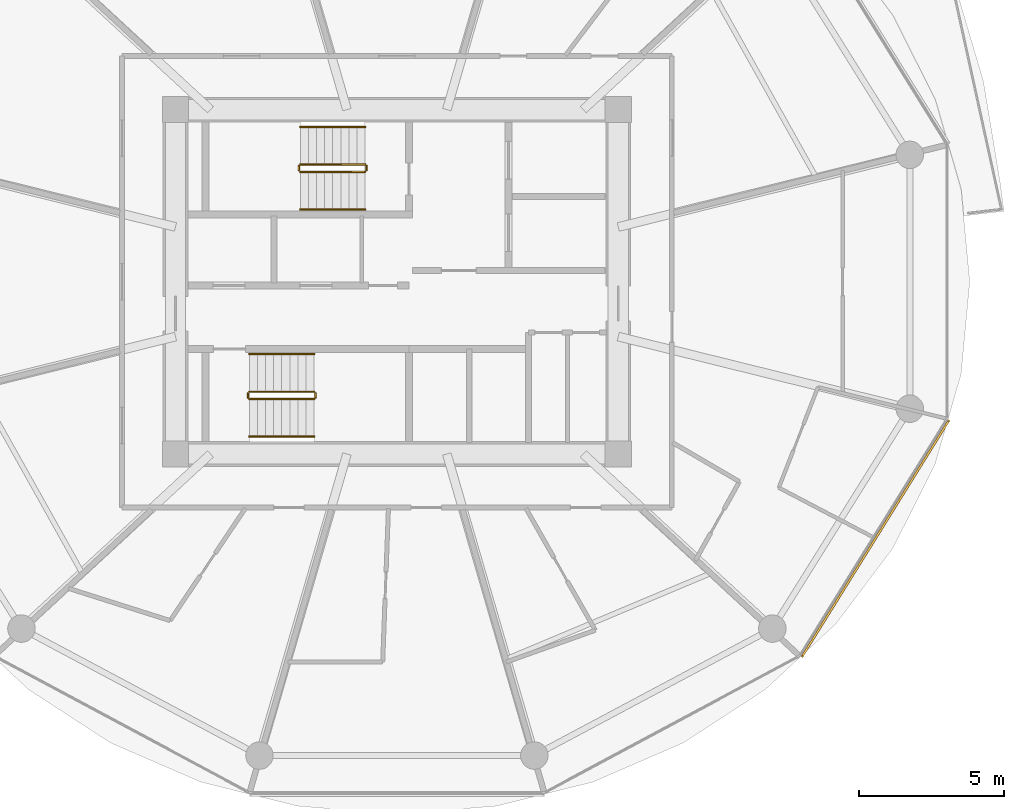
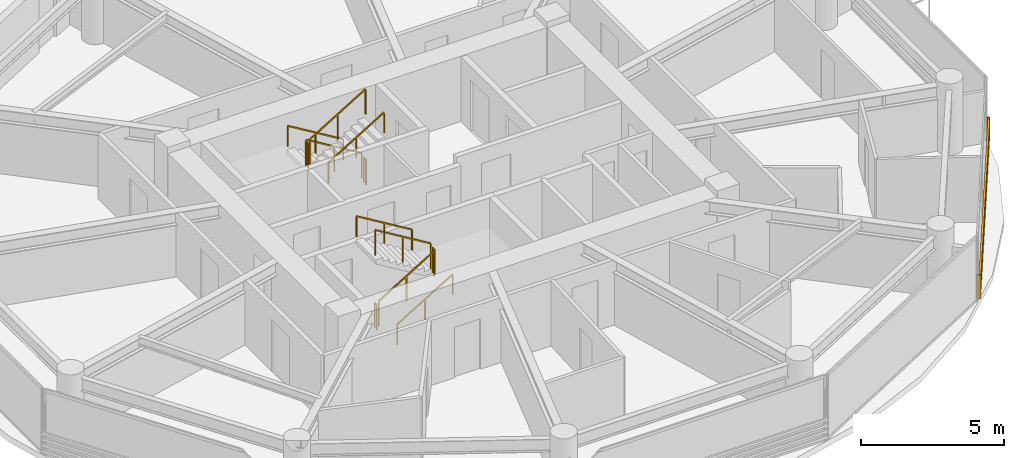
# One storey, part 25 of 26: 12 railings, 1 shading device.
"""IFC4 building model written with IfcOpenShell, lengths in metres."""

from ifc_helpers import new_model, si_unit, direction, frame, origin, origin_2d, place, context, subcontext, project, spatial, rectangle, extrude, source, transform, mapped, material, type_object, type_shapes, element, save


model = new_model("IFC4")

# Units and contexts
model_context = context("Model", 3, precision=1e-05, world=origin(), true_north=direction((0.0, 1.0)))
body_context = subcontext(model_context, "Body", "Model", "MODEL_VIEW")
ifc_project = project(units=[si_unit("LENGTHUNIT", "METRE"), si_unit("AREAUNIT", "SQUARE_METRE"), si_unit("VOLUMEUNIT", "CUBIC_METRE"), si_unit("PLANEANGLEUNIT", "RADIAN"), si_unit("MASSUNIT", "GRAM", prefix="KILO")], contexts=[model_context])

# Site, building, storey
site_placement = place(None, origin())
site = spatial("IfcSite", under=ifc_project, at=site_placement, CompositionType="ELEMENT")
building_placement = place(site_placement, origin())
building = spatial("IfcBuilding", under=site, at=building_placement, Name="Norrkilde Senior Care Towers", CompositionType="ELEMENT")
storey_placement = place(building_placement, frame((0.0, 0.0, 49.050048828125)))
storey = spatial("IfcBuildingStorey", under=building, at=storey_placement, Name="L14", CompositionType="ELEMENT", Elevation=49.050048828125)

# Railings
ifc_material_1 = material(Name="Stainless Steel", Category="steel")
railing_type_1 = type_object("IfcRailingType", Name="Stair and Terrace Guardrail 1100", PredefinedType="GUARDRAIL", material=ifc_material_1)
railing_1_placement = place(storey_placement, frame((26.89990234375, 4.050048828125, 0.16943359375)))
element("IfcRailing", 1, at=railing_1_placement, inside=storey, type_object=railing_type_1, Name="L14 ST-E1 stair guard 1", PredefinedType="GUARDRAIL", context=body_context, shape_type="SweptSolid", body=[
    extrude(rectangle(XDim=0.048095703125, YDim=0.048095703125, at=origin_2d()), frame((0.0, 0.0, 1.076171875), z_axis=(-0.855553338991, 0.0, 0.51771467445), x_axis=(0.0, -1.0, 0.0)), (0.0, 0.0, 1.0), 2.6181640625),
    extrude(rectangle(XDim=0.0419921875, YDim=0.0419921875, at=origin_2d()), origin(), (0.0, 0.0, 1.0), 1.050048828125),
    extrude(rectangle(XDim=0.0419921875, YDim=0.0419921875, at=origin_2d()), frame((-1.1201171875, 0.0, 0.677734375)), (0.0, 0.0, 1.0), 1.050048828125),
    extrude(rectangle(XDim=0.0419921875, YDim=0.0419921875, at=origin_2d()), frame((-2.239990234375, 0.0, 1.35546875)), (0.0, 0.0, 1.0), 1.050048828125),
])
railing_2_placement = place(storey_placement, frame((24.610107421875, 4.0, 1.52490234375)))
element("IfcRailing", 2, at=railing_2_placement, inside=storey, type_object=railing_type_1, Name="L14 ST-E1 stair guard 2", PredefinedType="GUARDRAIL", context=body_context, shape_type="SweptSolid", body=[
    extrude(rectangle(XDim=0.048095703125, YDim=0.048095703125, at=origin_2d()), frame((0.0, 0.0, 1.076171875), z_axis=(0.0, -1.0, 0.0), x_axis=(1.0, 0.0, 0.0)), (0.0, 0.0, 1.0), 0.14990234375),
    extrude(rectangle(XDim=0.0419921875, YDim=0.0419921875, at=origin_2d()), origin(), (0.0, 0.0, 1.0), 1.050048828125),
    extrude(rectangle(XDim=0.0419921875, YDim=0.0419921875, at=origin_2d()), frame((0.0, -0.14990234375, 0.0)), (0.0, 0.0, 1.0), 1.050048828125),
])
railing_3_placement = place(storey_placement, frame((24.659912109375, 3.800048828125, 1.6943359375)))
element("IfcRailing", 3, at=railing_3_placement, inside=storey, type_object=railing_type_1, Name="L14 ST-E1 stair guard 3", PredefinedType="GUARDRAIL", context=body_context, shape_type="SweptSolid", body=[
    extrude(rectangle(XDim=0.048095703125, YDim=0.048095703125, at=origin_2d()), frame((0.0, 0.0, 1.076171875), z_axis=(0.855512035549, 0.0, 0.517782924622), x_axis=(0.0, 1.0, 0.0)), (0.0, 0.0, 1.0), 2.618408203125),
    extrude(rectangle(XDim=0.0419921875, YDim=0.0419921875, at=origin_2d()), origin(), (0.0, 0.0, 1.0), 1.050048828125),
    extrude(rectangle(XDim=0.0419921875, YDim=0.0419921875, at=origin_2d()), frame((1.1201171875, 0.0, 0.677734375)), (0.0, 0.0, 1.0), 1.050048828125),
    extrude(rectangle(XDim=0.0419921875, YDim=0.0419921875, at=origin_2d()), frame((2.239990234375, 0.0, 1.355712890625)), (0.0, 0.0, 1.0), 1.050048828125),
])
railing_4_placement = place(storey_placement, frame((26.949951171875, 4.0, 0.0)))
element("IfcRailing", 4, at=railing_4_placement, inside=storey, type_object=railing_type_1, Name="L14 ST-E1 stair guard 4", PredefinedType="GUARDRAIL", context=body_context, shape_type="SweptSolid", body=[
    extrude(rectangle(XDim=0.048095703125, YDim=0.048095703125, at=origin_2d()), frame((0.0, 0.0, 1.076171875), z_axis=(0.0, -1.0, 0.0), x_axis=(1.0, 0.0, 0.0)), (0.0, 0.0, 1.0), 0.14990234375),
    extrude(rectangle(XDim=0.0419921875, YDim=0.0419921875, at=origin_2d()), origin(), (0.0, 0.0, 1.0), 1.050048828125),
    extrude(rectangle(XDim=0.0419921875, YDim=0.0419921875, at=origin_2d()), frame((0.0, -0.14990234375, 0.0)), (0.0, 0.0, 1.0), 1.050048828125),
])
railing_5_placement = place(storey_placement, frame((22.89990234375, -4.050048828125, 0.16943359375)))
element("IfcRailing", 5, at=railing_5_placement, inside=storey, type_object=railing_type_1, Name="L14 ST-E2 stair guard 1", PredefinedType="GUARDRAIL", context=body_context, shape_type="SweptSolid", body=[
    extrude(rectangle(XDim=0.048095703125, YDim=0.048095703125, at=origin_2d()), frame((0.0, 0.0, 1.076171875), z_axis=(0.855553338991, 0.0, 0.51771467445), x_axis=(0.0, 1.0, 0.0)), (0.0, 0.0, 1.0), 2.6181640625),
    extrude(rectangle(XDim=0.0419921875, YDim=0.0419921875, at=origin_2d()), origin(), (0.0, 0.0, 1.0), 1.050048828125),
    extrude(rectangle(XDim=0.0419921875, YDim=0.0419921875, at=origin_2d()), frame((1.1201171875, 0.0, 0.677734375)), (0.0, 0.0, 1.0), 1.050048828125),
    extrude(rectangle(XDim=0.0419921875, YDim=0.0419921875, at=origin_2d()), frame((2.239990234375, 0.0, 1.35546875)), (0.0, 0.0, 1.0), 1.050048828125),
])
railing_6_placement = place(storey_placement, frame((25.18994140625, -4.0, 1.52490234375)))
element("IfcRailing", 6, at=railing_6_placement, inside=storey, type_object=railing_type_1, Name="L14 ST-E2 stair guard 2", PredefinedType="GUARDRAIL", context=body_context, shape_type="SweptSolid", body=[
    extrude(rectangle(XDim=0.048095703125, YDim=0.048095703125, at=origin_2d()), frame((0.0, 0.0, 1.076171875), z_axis=(0.0, 1.0, 0.0), x_axis=(-1.0, 0.0, 0.0)), (0.0, 0.0, 1.0), 0.14990234375),
    extrude(rectangle(XDim=0.0419921875, YDim=0.0419921875, at=origin_2d()), origin(), (0.0, 0.0, 1.0), 1.050048828125),
    extrude(rectangle(XDim=0.0419921875, YDim=0.0419921875, at=origin_2d()), frame((0.0, 0.14990234375, 0.0)), (0.0, 0.0, 1.0), 1.050048828125),
])
railing_7_placement = place(storey_placement, frame((25.139892578125, -3.800048828125, 1.6943359375)))
element("IfcRailing", 7, at=railing_7_placement, inside=storey, type_object=railing_type_1, Name="L14 ST-E2 stair guard 3", PredefinedType="GUARDRAIL", context=body_context, shape_type="SweptSolid", body=[
    extrude(rectangle(XDim=0.048095703125, YDim=0.048095703125, at=origin_2d()), frame((0.0, 0.0, 1.076171875), z_axis=(-0.855512035549, 0.0, 0.517782924622), x_axis=(0.0, -1.0, 0.0)), (0.0, 0.0, 1.0), 2.618408203125),
    extrude(rectangle(XDim=0.0419921875, YDim=0.0419921875, at=origin_2d()), origin(), (0.0, 0.0, 1.0), 1.050048828125),
    extrude(rectangle(XDim=0.0419921875, YDim=0.0419921875, at=origin_2d()), frame((-1.1201171875, 0.0, 0.677734375)), (0.0, 0.0, 1.0), 1.050048828125),
    extrude(rectangle(XDim=0.0419921875, YDim=0.0419921875, at=origin_2d()), frame((-2.239990234375, 0.0, 1.355712890625)), (0.0, 0.0, 1.0), 1.050048828125),
])
railing_8_placement = place(storey_placement, frame((22.85009765625, -4.0, 0.0)))
element("IfcRailing", 8, at=railing_8_placement, inside=storey, type_object=railing_type_1, Name="L14 ST-E2 stair guard 4", PredefinedType="GUARDRAIL", context=body_context, shape_type="SweptSolid", body=[
    extrude(rectangle(XDim=0.048095703125, YDim=0.048095703125, at=origin_2d()), frame((0.0, 0.0, 1.076171875), z_axis=(0.0, 1.0, 0.0), x_axis=(-1.0, 0.0, 0.0)), (0.0, 0.0, 1.0), 0.14990234375),
    extrude(rectangle(XDim=0.0419921875, YDim=0.0419921875, at=origin_2d()), origin(), (0.0, 0.0, 1.0), 1.050048828125),
    extrude(rectangle(XDim=0.0419921875, YDim=0.0419921875, at=origin_2d()), frame((0.0, 0.14990234375, 0.0)), (0.0, 0.0, 1.0), 1.050048828125),
])
ifc_material_2 = material(Name="Nordic Ash Timber", Category="wood")
railing_type_2 = type_object("IfcRailingType", Name="Wall and Stair Handrail 900", PredefinedType="HANDRAIL", material=ifc_material_2)
railing_9_placement = place(storey_placement, frame((26.89990234375, 5.35009765625, 0.16943359375)))
element("IfcRailing", 9, at=railing_9_placement, inside=storey, type_object=railing_type_2, Name="L14 ST-E1 stair handrail 1", PredefinedType="HANDRAIL", context=body_context, shape_type="SweptSolid", body=[
    extrude(rectangle(XDim=0.048095703125, YDim=0.048095703125, at=origin_2d()), frame((0.0, 0.0, 0.8759765625), z_axis=(-0.855553338991, 0.0, 0.51771467445), x_axis=(0.0, -1.0, 0.0)), (0.0, 0.0, 1.0), 2.6181640625),
    extrude(rectangle(XDim=0.0419921875, YDim=0.0419921875, at=origin_2d()), origin(), (0.0, 0.0, 1.0), 0.849853515625),
    extrude(rectangle(XDim=0.0419921875, YDim=0.0419921875, at=origin_2d()), frame((-1.1201171875, 0.0, 0.677734375)), (0.0, 0.0, 1.0), 0.849853515625),
    extrude(rectangle(XDim=0.0419921875, YDim=0.0419921875, at=origin_2d()), frame((-2.239990234375, 0.0, 1.35546875)), (0.0, 0.0, 1.0), 0.849853515625),
])
railing_10_placement = place(storey_placement, frame((24.659912109375, 2.5, 1.6943359375)))
element("IfcRailing", 10, at=railing_10_placement, inside=storey, type_object=railing_type_2, Name="L14 ST-E1 stair handrail 2", PredefinedType="HANDRAIL", context=body_context, shape_type="SweptSolid", body=[
    extrude(rectangle(XDim=0.048095703125, YDim=0.048095703125, at=origin_2d()), frame((0.0, 0.0, 0.8759765625), z_axis=(0.855512035549, 0.0, 0.517782924622), x_axis=(0.0, 1.0, 0.0)), (0.0, 0.0, 1.0), 2.618408203125),
    extrude(rectangle(XDim=0.0419921875, YDim=0.0419921875, at=origin_2d()), origin(), (0.0, 0.0, 1.0), 0.849853515625),
    extrude(rectangle(XDim=0.0419921875, YDim=0.0419921875, at=origin_2d()), frame((1.1201171875, 0.0, 0.677734375)), (0.0, 0.0, 1.0), 0.849853515625),
    extrude(rectangle(XDim=0.0419921875, YDim=0.0419921875, at=origin_2d()), frame((2.239990234375, 0.0, 1.355712890625)), (0.0, 0.0, 1.0), 0.849853515625),
])
railing_11_placement = place(storey_placement, frame((22.89990234375, -5.35009765625, 0.16943359375)))
element("IfcRailing", 11, at=railing_11_placement, inside=storey, type_object=railing_type_2, Name="L14 ST-E2 stair handrail 1", PredefinedType="HANDRAIL", context=body_context, shape_type="SweptSolid", body=[
    extrude(rectangle(XDim=0.048095703125, YDim=0.048095703125, at=origin_2d()), frame((0.0, 0.0, 0.8759765625), z_axis=(0.855553338991, 0.0, 0.51771467445), x_axis=(0.0, 1.0, 0.0)), (0.0, 0.0, 1.0), 2.6181640625),
    extrude(rectangle(XDim=0.0419921875, YDim=0.0419921875, at=origin_2d()), origin(), (0.0, 0.0, 1.0), 0.849853515625),
    extrude(rectangle(XDim=0.0419921875, YDim=0.0419921875, at=origin_2d()), frame((1.1201171875, 0.0, 0.677734375)), (0.0, 0.0, 1.0), 0.849853515625),
    extrude(rectangle(XDim=0.0419921875, YDim=0.0419921875, at=origin_2d()), frame((2.239990234375, 0.0, 1.35546875)), (0.0, 0.0, 1.0), 0.849853515625),
])
railing_12_placement = place(storey_placement, frame((25.139892578125, -2.5, 1.6943359375)))
element("IfcRailing", 12, at=railing_12_placement, inside=storey, type_object=railing_type_2, Name="L14 ST-E2 stair handrail 2", PredefinedType="HANDRAIL", context=body_context, shape_type="SweptSolid", body=[
    extrude(rectangle(XDim=0.048095703125, YDim=0.048095703125, at=origin_2d()), frame((0.0, 0.0, 0.8759765625), z_axis=(-0.855512035549, 0.0, 0.517782924622), x_axis=(0.0, -1.0, 0.0)), (0.0, 0.0, 1.0), 2.618408203125),
    extrude(rectangle(XDim=0.0419921875, YDim=0.0419921875, at=origin_2d()), origin(), (0.0, 0.0, 1.0), 0.849853515625),
    extrude(rectangle(XDim=0.0419921875, YDim=0.0419921875, at=origin_2d()), frame((-1.1201171875, 0.0, 0.677734375)), (0.0, 0.0, 1.0), 0.849853515625),
    extrude(rectangle(XDim=0.0419921875, YDim=0.0419921875, at=origin_2d()), frame((-2.239990234375, 0.0, 1.355712890625)), (0.0, 0.0, 1.0), 0.849853515625),
])

# Shading device
ifc_material_3 = material(Name="Architectural Terracotta", Category="masonry")
shading_device_type = type_object("IfcShadingDeviceType", Name="Horizontal Terracotta Baguette Rack", PredefinedType="USERDEFINED", material=ifc_material_3)
shared_shape = source(origin(), body_context, "Body", "SweptSolid", [
    extrude(rectangle(XDim=0.070068359375, YDim=0.110107421875, at=origin_2d()), frame((0.0, 0.090087890625, 0.125), z_axis=(1.0, 0.0, 0.0), x_axis=(0.0, 1.0, 0.0)), (0.0, 0.0, 1.0), 9.64892578125),
    extrude(rectangle(XDim=0.070068359375, YDim=0.110107421875, at=origin_2d()), frame((0.0, 0.090087890625, 0.375), z_axis=(1.0, 0.0, 0.0), x_axis=(0.0, 1.0, 0.0)), (0.0, 0.0, 1.0), 9.64892578125),
    extrude(rectangle(XDim=0.070068359375, YDim=0.110107421875, at=origin_2d()), frame((0.0, 0.090087890625, 0.625), z_axis=(1.0, 0.0, 0.0), x_axis=(0.0, 1.0, 0.0)), (0.0, 0.0, 1.0), 9.64892578125),
    extrude(rectangle(XDim=0.070068359375, YDim=0.110107421875, at=origin_2d()), frame((0.0, 0.090087890625, 0.875), z_axis=(1.0, 0.0, 0.0), x_axis=(0.0, 1.0, 0.0)), (0.0, 0.0, 1.0), 9.64892578125),
    extrude(rectangle(XDim=0.050048828125, YDim=0.1552734375, at=origin_2d()), frame((0.02490234375, 0.047607421875, 0.0)), (0.0, 0.0, 1.0), 1.0),
    extrude(rectangle(XDim=0.050048828125, YDim=0.1552734375, at=origin_2d()), frame((9.6240234375, 0.047607421875, 0.0)), (0.0, 0.0, 1.0), 1.0),
])
type_shapes(shading_device_type, [shared_shape])
shading_device_placement = place(storey_placement, frame((47.009521484375, -4.731201171875, 0.079833984375), z_axis=(0.0, 0.0, 1.0), x_axis=(-0.527908506655, -0.849299124538, 0.0)))
element("IfcShadingDevice", 13, at=shading_device_placement, inside=storey, type_object=shading_device_type, Name="L14 Drum E Terracotta Baguette Screen 10", ObjectType="BAGUETTE", PredefinedType="USERDEFINED", context=body_context, shape_type="MappedRepresentation", body=[
    mapped(shared_shape, transform((0.0, 0.0, 0.0), x_axis=(1.0, 0.0, 0.0), y_axis=(0.0, 1.0, 0.0), z_axis=(0.0, 0.0, 1.0), scale=1.0)),
])

save(model, "model.ifc")
